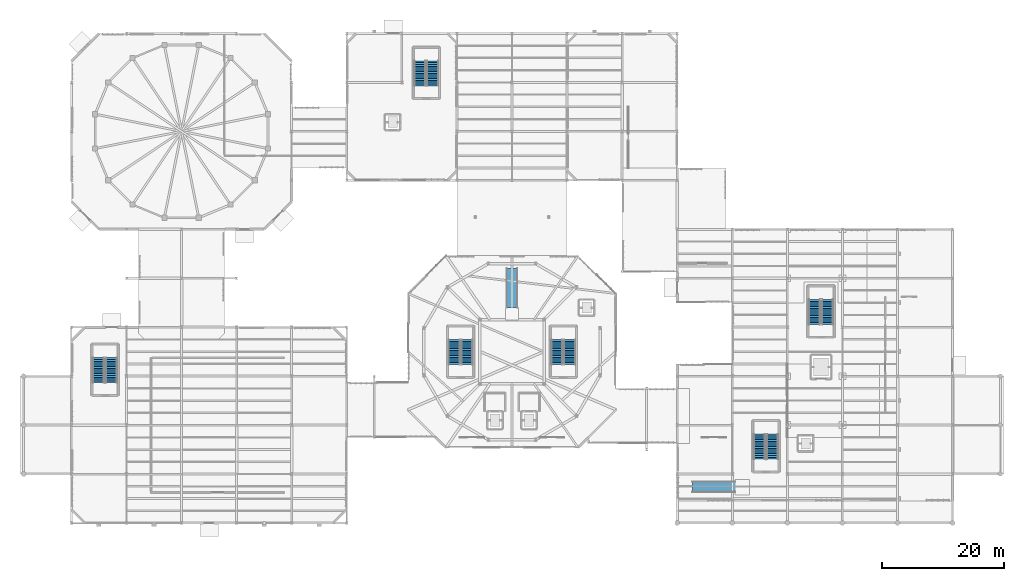
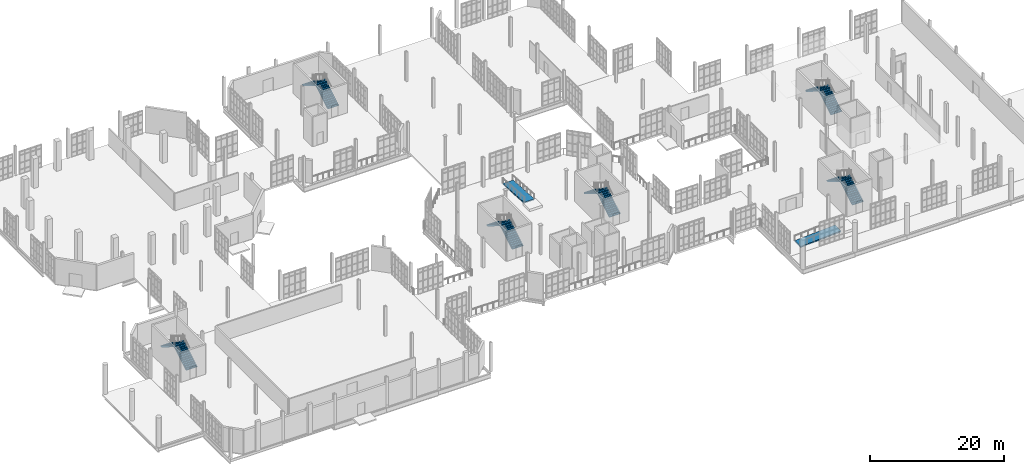
# One storey, part 178 of 189: 12 stair flights, 2 ramp flights, 8 elements without a shape of their own.
"""IFC4 building model written with IfcOpenShell, lengths in metres."""

from ifc_helpers import new_model, si_unit, direction, frame, origin, place, context, subcontext, project, spatial, polyline, outline, extrude, material, layer, layer_set, type_object, element, aggregate, save


model = new_model("IFC4")

# Units and contexts
model_context = context("Model", 3, precision=1e-05, world=origin(), true_north=direction((0.0, 1.0)))
body_context = subcontext(model_context, "Body", "Model", "MODEL_VIEW")
ifc_project = project(units=[si_unit("LENGTHUNIT", "METRE"), si_unit("AREAUNIT", "SQUARE_METRE"), si_unit("VOLUMEUNIT", "CUBIC_METRE"), si_unit("PLANEANGLEUNIT", "RADIAN"), si_unit("MASSUNIT", "GRAM", prefix="KILO"), si_unit("THERMODYNAMICTEMPERATUREUNIT", "KELVIN"), si_unit("POWERUNIT", "WATT")], contexts=[model_context])

# Site, building, storey
site_placement = place(None, origin())
site = spatial("IfcSite", under=ifc_project, at=site_placement, CompositionType="ELEMENT")
building_placement = place(site_placement, origin())
building = spatial("IfcBuilding", under=site, at=building_placement, Name="Zelmaris Science Centre", CompositionType="ELEMENT")
storey_placement = place(building_placement, origin())
storey = spatial("IfcBuildingStorey", under=building, at=storey_placement, Name="L00", CompositionType="ELEMENT", Elevation=0.0)

# Stair, stair flights
ifc_material = material(Name="Concrete C40/50", Category="concrete")
stair_type = type_object("IfcStairType", Name="Exit Stair ST-A W1900", PredefinedType="HALF_TURN_STAIR", material=ifc_material)
stair_1_placement = place(storey_placement, origin())
stair_1 = element("IfcStair", 1, at=stair_1_placement, inside=storey, type_object=stair_type, Name="L00 Exit Stair Core ST-1", PredefinedType="HALF_TURN_STAIR")
stair_flight_type = type_object("IfcStairFlightType", Name="Stair Flight ST-AF W1900", PredefinedType="STRAIGHT", material=ifc_material)
stair_flight_1_placement = place(storey_placement, frame((73.64990234375, 33.89990234375, 0.0), z_axis=(0.0, 0.0, 1.0), x_axis=(0.0, 1.0, 0.0)))
stair_flight_1 = element("IfcStairFlight", 2, at=stair_flight_1_placement, type_object=stair_flight_type, Name="ST-1 flight 1", NumberOfRisers=15, NumberOfTreads=14, PredefinedType="STRAIGHT", RiserHeight=0.18, TreadLength=0.29, context=body_context, shape_type="SweptSolid", body=[
    extrude(outline(polyline([(0.0, 0.0), (0.0, 0.179931640625), (0.2900390625, 0.179931640625), (0.2900390625, 0.360107421875), (0.580078125, 0.360107421875), (0.580078125, 0.5400390625), (0.8701171875, 0.5400390625), (0.8701171875, 0.719970703125), (1.159912109375, 0.719970703125), (1.159912109375, 0.89990234375), (1.449951171875, 0.89990234375), (1.449951171875, 1.080078125), (1.739990234375, 1.080078125), (1.739990234375, 1.260009765625), (2.030029296875, 1.260009765625), (2.030029296875, 1.43994140625), (2.320068359375, 1.43994140625), (2.320068359375, 1.6201171875), (2.610107421875, 1.6201171875), (2.610107421875, 1.800048828125), (2.89990234375, 1.800048828125), (2.89990234375, 1.97998046875), (3.18994140625, 1.97998046875), (3.18994140625, 2.159912109375), (3.47998046875, 2.159912109375), (3.47998046875, 2.340087890625), (3.77001953125, 2.340087890625), (3.77001953125, 2.52001953125), (4.06005859375, 2.52001953125), (4.06005859375, 2.699951171875), (4.06005859375, 2.343505859375), (0.2841796875, 0.0), (0.0, 0.0)])), frame((0.0, 0.949951171875, 0.0), z_axis=(0.0, -1.0, 0.0), x_axis=(1.0, 0.0, 0.0)), (0.0, 0.0, 1.0), 1.89990234375),
])
stair_flight_2_placement = place(storey_placement, frame((71.550048828125, 37.9599609375, 2.699951171875), z_axis=(0.0, 0.0, 1.0), x_axis=(0.0, -1.0, 0.0)))
stair_flight_2 = element("IfcStairFlight", 3, at=stair_flight_2_placement, type_object=stair_flight_type, Name="ST-1 flight 2", NumberOfRisers=15, NumberOfTreads=14, PredefinedType="STRAIGHT", RiserHeight=0.18, TreadLength=0.29, context=body_context, shape_type="SweptSolid", body=[
    extrude(outline(polyline([(0.0, 0.0), (0.0, 0.179931640625), (0.2900390625, 0.179931640625), (0.2900390625, 0.360107421875), (0.580078125, 0.360107421875), (0.580078125, 0.5400390625), (0.8701171875, 0.5400390625), (0.8701171875, 0.719970703125), (1.159912109375, 0.719970703125), (1.159912109375, 0.89990234375), (1.449951171875, 0.89990234375), (1.449951171875, 1.080078125), (1.739990234375, 1.080078125), (1.739990234375, 1.260009765625), (2.030029296875, 1.260009765625), (2.030029296875, 1.43994140625), (2.320068359375, 1.43994140625), (2.320068359375, 1.6201171875), (2.610107421875, 1.6201171875), (2.610107421875, 1.800048828125), (2.89990234375, 1.800048828125), (2.89990234375, 1.97998046875), (3.18994140625, 1.97998046875), (3.18994140625, 2.159912109375), (3.47998046875, 2.159912109375), (3.47998046875, 2.340087890625), (3.77001953125, 2.340087890625), (3.77001953125, 2.52001953125), (4.06005859375, 2.52001953125), (4.06005859375, 2.699951171875), (4.06005859375, 2.343505859375), (0.2841796875, 0.0), (0.0, 0.0)])), frame((0.0, 0.949951171875, 0.0), z_axis=(0.0, -1.0, 0.0), x_axis=(1.0, 0.0, 0.0)), (0.0, 0.0, 1.0), 1.89990234375),
])
aggregate(stair_1, [stair_flight_1, stair_flight_2])

stair_2_placement = place(storey_placement, origin())
stair_2 = element("IfcStair", 4, at=stair_2_placement, inside=storey, type_object=stair_type, Name="L00 Exit Stair Core ST-2", PredefinedType="HALF_TURN_STAIR")
stair_flight_3_placement = place(storey_placement, frame((90.449951171875, 33.89990234375, 0.0), z_axis=(0.0, 0.0, 1.0), x_axis=(0.0, 1.0, 0.0)))
stair_flight_3 = element("IfcStairFlight", 5, at=stair_flight_3_placement, type_object=stair_flight_type, Name="ST-2 flight 1", NumberOfRisers=15, NumberOfTreads=14, PredefinedType="STRAIGHT", RiserHeight=0.18, TreadLength=0.29, context=body_context, shape_type="SweptSolid", body=[
    extrude(outline(polyline([(0.0, 0.0), (0.0, 0.179931640625), (0.2900390625, 0.179931640625), (0.2900390625, 0.360107421875), (0.580078125, 0.360107421875), (0.580078125, 0.5400390625), (0.8701171875, 0.5400390625), (0.8701171875, 0.719970703125), (1.159912109375, 0.719970703125), (1.159912109375, 0.89990234375), (1.449951171875, 0.89990234375), (1.449951171875, 1.080078125), (1.739990234375, 1.080078125), (1.739990234375, 1.260009765625), (2.030029296875, 1.260009765625), (2.030029296875, 1.43994140625), (2.320068359375, 1.43994140625), (2.320068359375, 1.6201171875), (2.610107421875, 1.6201171875), (2.610107421875, 1.800048828125), (2.89990234375, 1.800048828125), (2.89990234375, 1.97998046875), (3.18994140625, 1.97998046875), (3.18994140625, 2.159912109375), (3.47998046875, 2.159912109375), (3.47998046875, 2.340087890625), (3.77001953125, 2.340087890625), (3.77001953125, 2.52001953125), (4.06005859375, 2.52001953125), (4.06005859375, 2.699951171875), (4.06005859375, 2.343505859375), (0.2841796875, 0.0), (0.0, 0.0)])), frame((0.0, 0.949951171875, 0.0), z_axis=(0.0, -1.0, 0.0), x_axis=(1.0, 0.0, 0.0)), (0.0, 0.0, 1.0), 1.89990234375),
])
stair_flight_4_placement = place(storey_placement, frame((88.35009765625, 37.9599609375, 2.699951171875), z_axis=(0.0, 0.0, 1.0), x_axis=(0.0, -1.0, 0.0)))
stair_flight_4 = element("IfcStairFlight", 6, at=stair_flight_4_placement, type_object=stair_flight_type, Name="ST-2 flight 2", NumberOfRisers=15, NumberOfTreads=14, PredefinedType="STRAIGHT", RiserHeight=0.18, TreadLength=0.29, context=body_context, shape_type="SweptSolid", body=[
    extrude(outline(polyline([(0.0, 0.0), (0.0, 0.179931640625), (0.2900390625, 0.179931640625), (0.2900390625, 0.360107421875), (0.580078125, 0.360107421875), (0.580078125, 0.5400390625), (0.8701171875, 0.5400390625), (0.8701171875, 0.719970703125), (1.159912109375, 0.719970703125), (1.159912109375, 0.89990234375), (1.449951171875, 0.89990234375), (1.449951171875, 1.080078125), (1.739990234375, 1.080078125), (1.739990234375, 1.260009765625), (2.030029296875, 1.260009765625), (2.030029296875, 1.43994140625), (2.320068359375, 1.43994140625), (2.320068359375, 1.6201171875), (2.610107421875, 1.6201171875), (2.610107421875, 1.800048828125), (2.89990234375, 1.800048828125), (2.89990234375, 1.97998046875), (3.18994140625, 1.97998046875), (3.18994140625, 2.159912109375), (3.47998046875, 2.159912109375), (3.47998046875, 2.340087890625), (3.77001953125, 2.340087890625), (3.77001953125, 2.52001953125), (4.06005859375, 2.52001953125), (4.06005859375, 2.699951171875), (4.06005859375, 2.343505859375), (0.2841796875, 0.0), (0.0, 0.0)])), frame((0.0, 0.949951171875, 0.0), z_axis=(0.0, -1.0, 0.0), x_axis=(1.0, 0.0, 0.0)), (0.0, 0.0, 1.0), 1.89990234375),
])
aggregate(stair_2, [stair_flight_3, stair_flight_4])

stair_3_placement = place(storey_placement, origin())
stair_3 = element("IfcStair", 7, at=stair_3_placement, inside=storey, type_object=stair_type, Name="L00 Exit Stair Core ST-3", PredefinedType="HALF_TURN_STAIR")
stair_flight_5_placement = place(storey_placement, frame((68.050048828125, 79.449951171875, 0.0), z_axis=(0.0, 0.0, 1.0), x_axis=(0.0, 1.0, 0.0)))
stair_flight_5 = element("IfcStairFlight", 8, at=stair_flight_5_placement, type_object=stair_flight_type, Name="ST-3 flight 1", NumberOfRisers=15, NumberOfTreads=14, PredefinedType="STRAIGHT", RiserHeight=0.18, TreadLength=0.29, context=body_context, shape_type="SweptSolid", body=[
    extrude(outline(polyline([(0.0, 0.0), (0.0, 0.179931640625), (0.2900390625, 0.179931640625), (0.2900390625, 0.360107421875), (0.580078125, 0.360107421875), (0.580078125, 0.5400390625), (0.8701171875, 0.5400390625), (0.8701171875, 0.719970703125), (1.159912109375, 0.719970703125), (1.159912109375, 0.89990234375), (1.449951171875, 0.89990234375), (1.449951171875, 1.080078125), (1.739990234375, 1.080078125), (1.739990234375, 1.260009765625), (2.030029296875, 1.260009765625), (2.030029296875, 1.43994140625), (2.320068359375, 1.43994140625), (2.320068359375, 1.6201171875), (2.610107421875, 1.6201171875), (2.610107421875, 1.800048828125), (2.89990234375, 1.800048828125), (2.89990234375, 1.97998046875), (3.18994140625, 1.97998046875), (3.18994140625, 2.159912109375), (3.47998046875, 2.159912109375), (3.47998046875, 2.340087890625), (3.77001953125, 2.340087890625), (3.77001953125, 2.52001953125), (4.06005859375, 2.52001953125), (4.06005859375, 2.699951171875), (4.06005859375, 2.343505859375), (0.2841796875, 0.0), (0.0, 0.0)])), frame((0.0, 0.949951171875, 0.0), z_axis=(0.0, -1.0, 0.0), x_axis=(1.0, 0.0, 0.0)), (0.0, 0.0, 1.0), 1.89990234375),
])
stair_flight_6_placement = place(storey_placement, frame((65.949951171875, 83.510009765625, 2.699951171875), z_axis=(0.0, 0.0, 1.0), x_axis=(0.0, -1.0, 0.0)))
stair_flight_6 = element("IfcStairFlight", 9, at=stair_flight_6_placement, type_object=stair_flight_type, Name="ST-3 flight 2", NumberOfRisers=15, NumberOfTreads=14, PredefinedType="STRAIGHT", RiserHeight=0.18, TreadLength=0.29, context=body_context, shape_type="SweptSolid", body=[
    extrude(outline(polyline([(0.0, 0.0), (0.0, 0.179931640625), (0.2900390625, 0.179931640625), (0.2900390625, 0.360107421875), (0.580078125, 0.360107421875), (0.580078125, 0.5400390625), (0.8701171875, 0.5400390625), (0.8701171875, 0.719970703125), (1.159912109375, 0.719970703125), (1.159912109375, 0.89990234375), (1.449951171875, 0.89990234375), (1.449951171875, 1.080078125), (1.739990234375, 1.080078125), (1.739990234375, 1.260009765625), (2.030029296875, 1.260009765625), (2.030029296875, 1.43994140625), (2.320068359375, 1.43994140625), (2.320068359375, 1.6201171875), (2.610107421875, 1.6201171875), (2.610107421875, 1.800048828125), (2.89990234375, 1.800048828125), (2.89990234375, 1.97998046875), (3.18994140625, 1.97998046875), (3.18994140625, 2.159912109375), (3.47998046875, 2.159912109375), (3.47998046875, 2.340087890625), (3.77001953125, 2.340087890625), (3.77001953125, 2.52001953125), (4.06005859375, 2.52001953125), (4.06005859375, 2.699951171875), (4.06005859375, 2.343505859375), (0.2841796875, 0.0), (0.0, 0.0)])), frame((0.0, 0.949951171875, 0.0), z_axis=(0.0, -1.0, 0.0), x_axis=(1.0, 0.0, 0.0)), (0.0, 0.0, 1.0), 1.89990234375),
])
aggregate(stair_3, [stair_flight_5, stair_flight_6])

stair_4_placement = place(storey_placement, origin())
stair_4 = element("IfcStair", 10, at=stair_4_placement, inside=storey, type_object=stair_type, Name="L00 Exit Stair Core ST-4", PredefinedType="HALF_TURN_STAIR")
stair_flight_7_placement = place(storey_placement, frame((123.550048828125, 18.449951171875, 0.0), z_axis=(0.0, 0.0, 1.0), x_axis=(0.0, 1.0, 0.0)))
stair_flight_7 = element("IfcStairFlight", 11, at=stair_flight_7_placement, type_object=stair_flight_type, Name="ST-4 flight 1", NumberOfRisers=15, NumberOfTreads=14, PredefinedType="STRAIGHT", RiserHeight=0.18, TreadLength=0.29, context=body_context, shape_type="SweptSolid", body=[
    extrude(outline(polyline([(0.0, 0.0), (0.0, 0.179931640625), (0.2900390625, 0.179931640625), (0.2900390625, 0.360107421875), (0.580078125, 0.360107421875), (0.580078125, 0.5400390625), (0.8701171875, 0.5400390625), (0.8701171875, 0.719970703125), (1.159912109375, 0.719970703125), (1.159912109375, 0.89990234375), (1.449951171875, 0.89990234375), (1.449951171875, 1.080078125), (1.739990234375, 1.080078125), (1.739990234375, 1.260009765625), (2.030029296875, 1.260009765625), (2.030029296875, 1.43994140625), (2.320068359375, 1.43994140625), (2.320068359375, 1.6201171875), (2.610107421875, 1.6201171875), (2.610107421875, 1.800048828125), (2.89990234375, 1.800048828125), (2.89990234375, 1.97998046875), (3.18994140625, 1.97998046875), (3.18994140625, 2.159912109375), (3.47998046875, 2.159912109375), (3.47998046875, 2.340087890625), (3.77001953125, 2.340087890625), (3.77001953125, 2.52001953125), (4.06005859375, 2.52001953125), (4.06005859375, 2.699951171875), (4.06005859375, 2.343505859375), (0.2841796875, 0.0), (0.0, 0.0)])), frame((0.0, 0.949951171875, 0.0), z_axis=(0.0, -1.0, 0.0), x_axis=(1.0, 0.0, 0.0)), (0.0, 0.0, 1.0), 1.89990234375),
])
stair_flight_8_placement = place(storey_placement, frame((121.449951171875, 22.510009765625, 2.699951171875), z_axis=(0.0, 0.0, 1.0), x_axis=(0.0, -1.0, 0.0)))
stair_flight_8 = element("IfcStairFlight", 12, at=stair_flight_8_placement, type_object=stair_flight_type, Name="ST-4 flight 2", NumberOfRisers=15, NumberOfTreads=14, PredefinedType="STRAIGHT", RiserHeight=0.18, TreadLength=0.29, context=body_context, shape_type="SweptSolid", body=[
    extrude(outline(polyline([(0.0, 0.0), (0.0, 0.179931640625), (0.2900390625, 0.179931640625), (0.2900390625, 0.360107421875), (0.580078125, 0.360107421875), (0.580078125, 0.5400390625), (0.8701171875, 0.5400390625), (0.8701171875, 0.719970703125), (1.159912109375, 0.719970703125), (1.159912109375, 0.89990234375), (1.449951171875, 0.89990234375), (1.449951171875, 1.080078125), (1.739990234375, 1.080078125), (1.739990234375, 1.260009765625), (2.030029296875, 1.260009765625), (2.030029296875, 1.43994140625), (2.320068359375, 1.43994140625), (2.320068359375, 1.6201171875), (2.610107421875, 1.6201171875), (2.610107421875, 1.800048828125), (2.89990234375, 1.800048828125), (2.89990234375, 1.97998046875), (3.18994140625, 1.97998046875), (3.18994140625, 2.159912109375), (3.47998046875, 2.159912109375), (3.47998046875, 2.340087890625), (3.77001953125, 2.340087890625), (3.77001953125, 2.52001953125), (4.06005859375, 2.52001953125), (4.06005859375, 2.699951171875), (4.06005859375, 2.343505859375), (0.2841796875, 0.0), (0.0, 0.0)])), frame((0.0, 0.949951171875, 0.0), z_axis=(0.0, -1.0, 0.0), x_axis=(1.0, 0.0, 0.0)), (0.0, 0.0, 1.0), 1.89990234375),
])
aggregate(stair_4, [stair_flight_7, stair_flight_8])

stair_5_placement = place(storey_placement, origin())
stair_5 = element("IfcStair", 13, at=stair_5_placement, inside=storey, type_object=stair_type, Name="L00 Exit Stair Core ST-5", PredefinedType="HALF_TURN_STAIR")
stair_flight_9_placement = place(storey_placement, frame((132.550048828125, 40.449951171875, 0.0), z_axis=(0.0, 0.0, 1.0), x_axis=(0.0, 1.0, 0.0)))
stair_flight_9 = element("IfcStairFlight", 14, at=stair_flight_9_placement, type_object=stair_flight_type, Name="ST-5 flight 1", NumberOfRisers=15, NumberOfTreads=14, PredefinedType="STRAIGHT", RiserHeight=0.18, TreadLength=0.29, context=body_context, shape_type="SweptSolid", body=[
    extrude(outline(polyline([(0.0, 0.0), (0.0, 0.179931640625), (0.2900390625, 0.179931640625), (0.2900390625, 0.360107421875), (0.580078125, 0.360107421875), (0.580078125, 0.5400390625), (0.8701171875, 0.5400390625), (0.8701171875, 0.719970703125), (1.159912109375, 0.719970703125), (1.159912109375, 0.89990234375), (1.449951171875, 0.89990234375), (1.449951171875, 1.080078125), (1.739990234375, 1.080078125), (1.739990234375, 1.260009765625), (2.030029296875, 1.260009765625), (2.030029296875, 1.43994140625), (2.320068359375, 1.43994140625), (2.320068359375, 1.6201171875), (2.610107421875, 1.6201171875), (2.610107421875, 1.800048828125), (2.89990234375, 1.800048828125), (2.89990234375, 1.97998046875), (3.18994140625, 1.97998046875), (3.18994140625, 2.159912109375), (3.47998046875, 2.159912109375), (3.47998046875, 2.340087890625), (3.77001953125, 2.340087890625), (3.77001953125, 2.52001953125), (4.06005859375, 2.52001953125), (4.06005859375, 2.699951171875), (4.06005859375, 2.343505859375), (0.2841796875, 0.0), (0.0, 0.0)])), frame((0.0, 0.949951171875, 0.0), z_axis=(0.0, -1.0, 0.0), x_axis=(1.0, 0.0, 0.0)), (0.0, 0.0, 1.0), 1.89990234375),
])
stair_flight_10_placement = place(storey_placement, frame((130.449951171875, 44.510009765625, 2.699951171875), z_axis=(0.0, 0.0, 1.0), x_axis=(0.0, -1.0, 0.0)))
stair_flight_10 = element("IfcStairFlight", 15, at=stair_flight_10_placement, type_object=stair_flight_type, Name="ST-5 flight 2", NumberOfRisers=15, NumberOfTreads=14, PredefinedType="STRAIGHT", RiserHeight=0.18, TreadLength=0.29, context=body_context, shape_type="SweptSolid", body=[
    extrude(outline(polyline([(0.0, 0.0), (0.0, 0.179931640625), (0.2900390625, 0.179931640625), (0.2900390625, 0.360107421875), (0.580078125, 0.360107421875), (0.580078125, 0.5400390625), (0.8701171875, 0.5400390625), (0.8701171875, 0.719970703125), (1.159912109375, 0.719970703125), (1.159912109375, 0.89990234375), (1.449951171875, 0.89990234375), (1.449951171875, 1.080078125), (1.739990234375, 1.080078125), (1.739990234375, 1.260009765625), (2.030029296875, 1.260009765625), (2.030029296875, 1.43994140625), (2.320068359375, 1.43994140625), (2.320068359375, 1.6201171875), (2.610107421875, 1.6201171875), (2.610107421875, 1.800048828125), (2.89990234375, 1.800048828125), (2.89990234375, 1.97998046875), (3.18994140625, 1.97998046875), (3.18994140625, 2.159912109375), (3.47998046875, 2.159912109375), (3.47998046875, 2.340087890625), (3.77001953125, 2.340087890625), (3.77001953125, 2.52001953125), (4.06005859375, 2.52001953125), (4.06005859375, 2.699951171875), (4.06005859375, 2.343505859375), (0.2841796875, 0.0), (0.0, 0.0)])), frame((0.0, 0.949951171875, 0.0), z_axis=(0.0, -1.0, 0.0), x_axis=(1.0, 0.0, 0.0)), (0.0, 0.0, 1.0), 1.89990234375),
])
aggregate(stair_5, [stair_flight_9, stair_flight_10])

stair_6_placement = place(storey_placement, origin())
stair_6 = element("IfcStair", 16, at=stair_6_placement, inside=storey, type_object=stair_type, Name="L00 Exit Stair Core ST-6", PredefinedType="HALF_TURN_STAIR")
stair_flight_11_placement = place(storey_placement, frame((15.550048828125, 30.949951171875, 0.0), z_axis=(0.0, 0.0, 1.0), x_axis=(0.0, 1.0, 0.0)))
stair_flight_11 = element("IfcStairFlight", 17, at=stair_flight_11_placement, type_object=stair_flight_type, Name="ST-6 flight 1", NumberOfRisers=15, NumberOfTreads=14, PredefinedType="STRAIGHT", RiserHeight=0.18, TreadLength=0.29, context=body_context, shape_type="SweptSolid", body=[
    extrude(outline(polyline([(0.0, 0.0), (0.0, 0.179931640625), (0.2900390625, 0.179931640625), (0.2900390625, 0.360107421875), (0.580078125, 0.360107421875), (0.580078125, 0.5400390625), (0.8701171875, 0.5400390625), (0.8701171875, 0.719970703125), (1.159912109375, 0.719970703125), (1.159912109375, 0.89990234375), (1.449951171875, 0.89990234375), (1.449951171875, 1.080078125), (1.739990234375, 1.080078125), (1.739990234375, 1.260009765625), (2.030029296875, 1.260009765625), (2.030029296875, 1.43994140625), (2.320068359375, 1.43994140625), (2.320068359375, 1.6201171875), (2.610107421875, 1.6201171875), (2.610107421875, 1.800048828125), (2.89990234375, 1.800048828125), (2.89990234375, 1.97998046875), (3.18994140625, 1.97998046875), (3.18994140625, 2.159912109375), (3.47998046875, 2.159912109375), (3.47998046875, 2.340087890625), (3.77001953125, 2.340087890625), (3.77001953125, 2.52001953125), (4.06005859375, 2.52001953125), (4.06005859375, 2.699951171875), (4.06005859375, 2.343505859375), (0.2841796875, 0.0), (0.0, 0.0)])), frame((0.0, 0.949951171875, 0.0), z_axis=(0.0, -1.0, 0.0), x_axis=(1.0, 0.0, 0.0)), (0.0, 0.0, 1.0), 1.89990234375),
])
stair_flight_12_placement = place(storey_placement, frame((13.449951171875, 35.010009765625, 2.699951171875), z_axis=(0.0, 0.0, 1.0), x_axis=(0.0, -1.0, 0.0)))
stair_flight_12 = element("IfcStairFlight", 18, at=stair_flight_12_placement, type_object=stair_flight_type, Name="ST-6 flight 2", NumberOfRisers=15, NumberOfTreads=14, PredefinedType="STRAIGHT", RiserHeight=0.18, TreadLength=0.29, context=body_context, shape_type="SweptSolid", body=[
    extrude(outline(polyline([(0.0, 0.0), (0.0, 0.179931640625), (0.2900390625, 0.179931640625), (0.2900390625, 0.360107421875), (0.580078125, 0.360107421875), (0.580078125, 0.5400390625), (0.8701171875, 0.5400390625), (0.8701171875, 0.719970703125), (1.159912109375, 0.719970703125), (1.159912109375, 0.89990234375), (1.449951171875, 0.89990234375), (1.449951171875, 1.080078125), (1.739990234375, 1.080078125), (1.739990234375, 1.260009765625), (2.030029296875, 1.260009765625), (2.030029296875, 1.43994140625), (2.320068359375, 1.43994140625), (2.320068359375, 1.6201171875), (2.610107421875, 1.6201171875), (2.610107421875, 1.800048828125), (2.89990234375, 1.800048828125), (2.89990234375, 1.97998046875), (3.18994140625, 1.97998046875), (3.18994140625, 2.159912109375), (3.47998046875, 2.159912109375), (3.47998046875, 2.340087890625), (3.77001953125, 2.340087890625), (3.77001953125, 2.52001953125), (4.06005859375, 2.52001953125), (4.06005859375, 2.699951171875), (4.06005859375, 2.343505859375), (0.2841796875, 0.0), (0.0, 0.0)])), frame((0.0, 0.949951171875, 0.0), z_axis=(0.0, -1.0, 0.0), x_axis=(1.0, 0.0, 0.0)), (0.0, 0.0, 1.0), 1.89990234375),
])
aggregate(stair_6, [stair_flight_11, stair_flight_12])

# Ramp, ramp flight
ramp_type = type_object("IfcRampType", Name="Accessible Ramp RMP-01 W1800", PredefinedType="STRAIGHT_RUN_RAMP", material=ifc_material)
ramp_1_placement = place(storey_placement, origin())
ramp_1 = element("IfcRamp", 19, at=ramp_1_placement, inside=storey, type_object=ramp_type, Name="L00 Atrium arrival gallery ramp", PredefinedType="STRAIGHT_RUN_RAMP")
ifc_layer = layer(ifc_material, 0.219970703125, Name="Concrete C40/50")
ifc_layer_set = layer_set([ifc_layer], Name="Concrete C40/50")
ramp_flight_type = type_object("IfcRampFlightType", Name="Ramp Flight RMF-01 W1800", PredefinedType="STRAIGHT", material=ifc_layer_set)
ramp_flight_1_placement = place(storey_placement, frame((81.0, 49.60009765625, 0.0), z_axis=(0.0, 0.0, 1.0), x_axis=(0.0, -1.0, 0.0)))
ramp_flight_1 = element("IfcRampFlight", 20, at=ramp_flight_1_placement, type_object=ramp_flight_type, Name="L00 Atrium arrival gallery ramp flight", PredefinedType="STRAIGHT", context=body_context, shape_type="SweptSolid", body=[
    extrude(outline(polyline([(0.0, 0.0), (6.39990234375, 0.419921875), (6.39990234375, 0.199951171875), (0.0, -0.219970703125), (0.0, 0.0)])), frame((0.0, 0.89990234375, 0.0), z_axis=(0.0, -1.0, 0.0), x_axis=(1.0, 0.0, 0.0)), (0.0, 0.0, 1.0), 1.800048828125),
])
aggregate(ramp_1, [ramp_flight_1])

ramp_2_placement = place(storey_placement, origin())
ramp_2 = element("IfcRamp", 21, at=ramp_2_placement, inside=storey, type_object=ramp_type, Name="L00 Entrance foyer step-free ramp", PredefinedType="STRAIGHT_RUN_RAMP")
ramp_flight_2_placement = place(storey_placement, frame((110.5, 13.89990234375, 0.0), z_axis=(0.0, 0.0, 1.0), x_axis=(1.0, 0.0, 0.0)))
ramp_flight_2 = element("IfcRampFlight", 22, at=ramp_flight_2_placement, type_object=ramp_flight_type, Name="L00 Entrance foyer step-free ramp flight", PredefinedType="STRAIGHT", context=body_context, shape_type="SweptSolid", body=[
    extrude(outline(polyline([(0.0, 0.0), (7.0, 0.449951171875), (7.0, 0.22998046875), (0.0, -0.219970703125), (0.0, 0.0)])), frame((0.0, 0.89990234375, 0.0), z_axis=(0.0, -1.0, 0.0), x_axis=(1.0, 0.0, 0.0)), (0.0, 0.0, 1.0), 1.800048828125),
])
aggregate(ramp_2, [ramp_flight_2])

save(model, "model.ifc")
